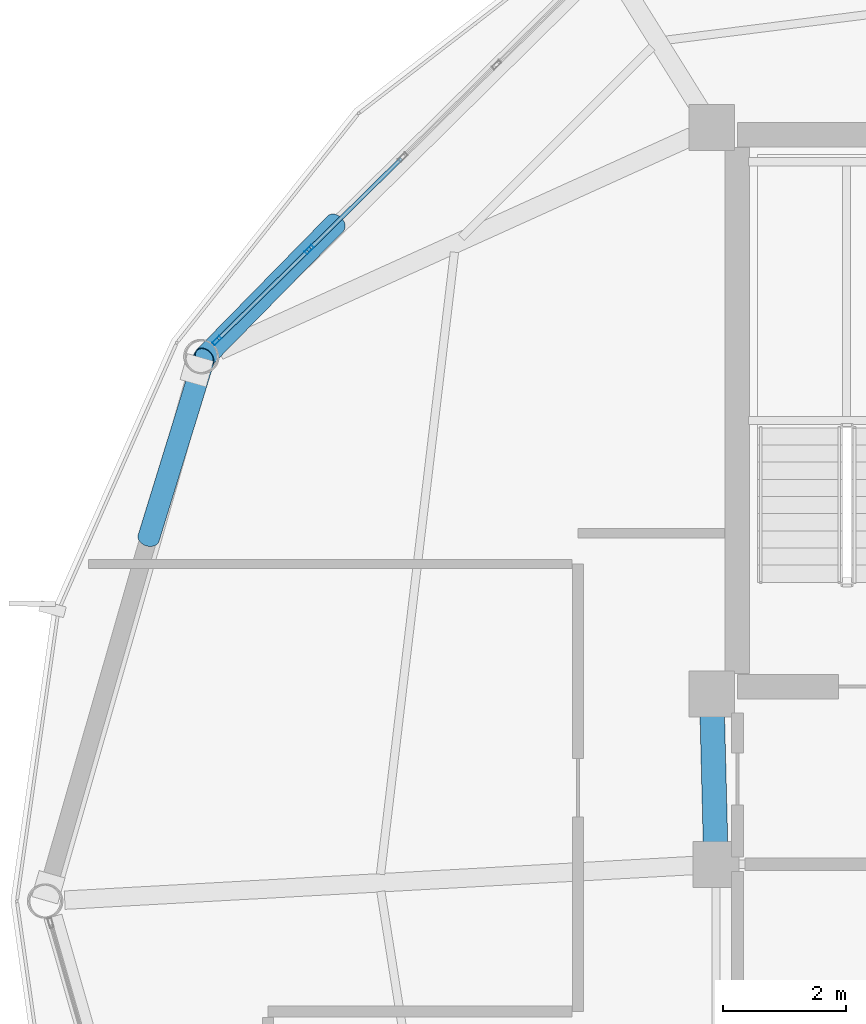
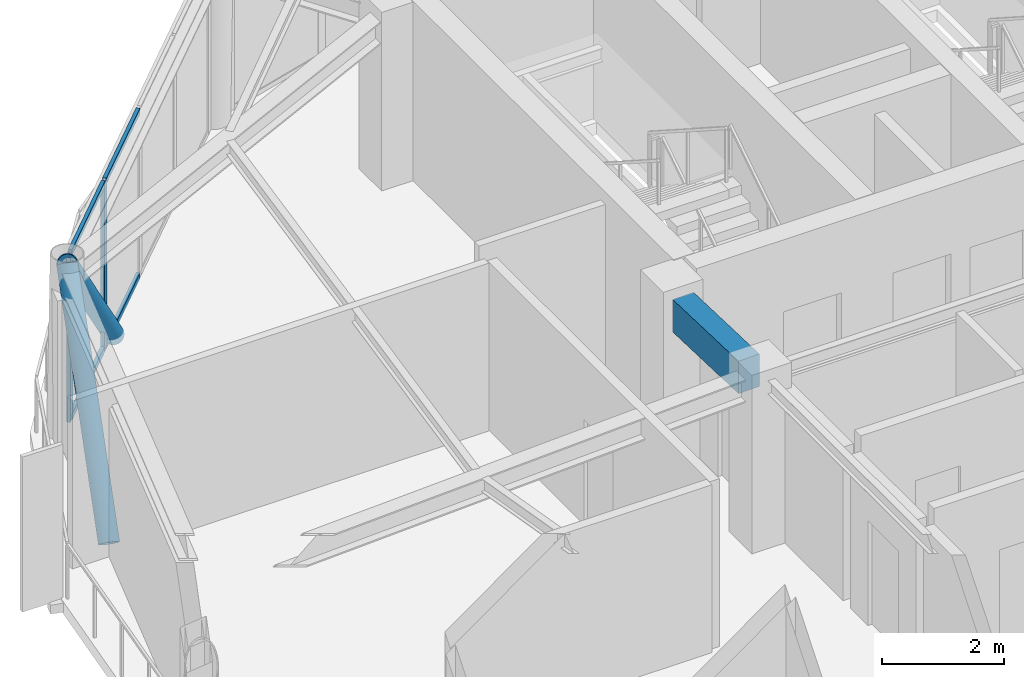
# One storey, part 12 of 26: 8 members, 1 beam, 1 element without a shape of its own.
"""IFC4 building model written with IfcOpenShell, lengths in metres."""

from ifc_helpers import new_model, si_unit, direction, frame, origin, origin_2d, place, context, subcontext, project, spatial, rectangle, hollow_rectangle, hollow_circle, extrude, material, layer, layer_set, material_profile, profile_set, type_object, element, aggregate, save


model = new_model("IFC4")

# Units and contexts
model_context = context("Model", 3, precision=1e-05, world=origin(), true_north=direction((0.0, 1.0)))
body_context = subcontext(model_context, "Body", "Model", "MODEL_VIEW")
ifc_project = project(units=[si_unit("LENGTHUNIT", "METRE"), si_unit("AREAUNIT", "SQUARE_METRE"), si_unit("VOLUMEUNIT", "CUBIC_METRE"), si_unit("PLANEANGLEUNIT", "RADIAN"), si_unit("MASSUNIT", "GRAM", prefix="KILO")], contexts=[model_context])

# Site, building, storey
site_placement = place(None, origin())
site = spatial("IfcSite", under=ifc_project, at=site_placement, CompositionType="ELEMENT")
building_placement = place(site_placement, origin())
building = spatial("IfcBuilding", under=site, at=building_placement, Name="Varnakorn Sky Granary", CompositionType="ELEMENT")
storey_placement = place(building_placement, frame((0.0, 0.0, 267.0)))
storey = spatial("IfcBuildingStorey", under=building, at=storey_placement, Name="L68", CompositionType="ELEMENT", Elevation=267.0)

# Beam
ifc_material_1 = material(Name="Concrete C50/60", Category="concrete")
ifc_material_profile_1 = material_profile(ifc_material_1, rectangle(XDim=0.39990234375, YDim=0.64990234375, at=origin_2d()), Name="RC 400x650")
ifc_profile_set_1 = profile_set([ifc_material_profile_1], Name="Concrete C50/60")
beam_type = type_object("IfcBeamType", Name="BM-LIN-650", PredefinedType="LINTEL", material=ifc_profile_set_1)
beam_placement = place(storey_placement, frame((-2.4111328125, 3.025146484375, 3.034912109375), z_axis=(0.025227817192, -0.999681727971, 0.0), x_axis=(0.999681727971, 0.025227817192, 0.0)))
element("IfcBeam", 1, at=beam_placement, inside=storey, type_object=beam_type, Name="Core Spine Framing Beam 1 L68", PredefinedType="LINTEL", context=body_context, shape_type="SweptSolid", body=[
    extrude(rectangle(XDim=0.39990234375, YDim=0.64990234375, at=origin_2d()), origin(), (0.0, 0.0, 1.0), 2.071044921875),
])

# Curtain wall, members
ifc_material_2 = material(Name="Anodised Bronze Aluminium Alloy 6063-T6", Category="aluminium")
ifc_layer = layer(ifc_material_2, 0.159912109375, Name="Anodised Bronze Aluminium Alloy 6063-T6")
ifc_layer_set = layer_set([ifc_layer], Name="Anodised Bronze Aluminium Alloy 6063-T6")
curtain_wall_type = type_object("IfcCurtainWallType", Name="CW-OFF-1", PredefinedType="USERDEFINED", material=ifc_layer_set)
curtain_wall_placement = place(storey_placement, origin())
curtain_wall = element("IfcCurtainWall", 2, at=curtain_wall_placement, inside=storey, type_object=curtain_wall_type, Name="Unitised Curtain Wall CW6 CW-L68-B05", ObjectType="CURTAIN WALL", PredefinedType="USERDEFINED")
ifc_material_profile_2 = material_profile(ifc_material_2, hollow_rectangle(XDim=0.06494140625, YDim=0.159912109375, WallThickness=0.00341796875, at=origin_2d()), Name="ALU MULL 65x160")
ifc_profile_set_2 = profile_set([ifc_material_profile_2], Name="Anodised Bronze Aluminium Alloy 6063-T6")
member_type_1 = type_object("IfcMemberType", Name="CW-OFF-1-MULL", PredefinedType="MULLION", material=ifc_profile_set_2)
member_1_placement = place(storey_placement, frame((-10.49169921875, 9.145263671875, 0.0), z_axis=(0.0, 0.0, 1.0), x_axis=(-0.702091405728, 0.71208683319, 0.0)))
member_1 = element("IfcMember", 3, at=member_1_placement, type_object=member_type_1, Name="CW6 mullion 1", PredefinedType="MULLION", context=body_context, shape_type="SweptSolid", body=[
    extrude(hollow_rectangle(XDim=0.06494140625, YDim=0.159912109375, WallThickness=0.00341796875, at=origin_2d()), origin(), (0.0, 0.0, 1.0), 3.360107421875),
])
member_2_placement = place(storey_placement, frame((-8.986572265625, 10.629150390625, 0.0), z_axis=(0.0, 0.0, 1.0), x_axis=(-0.702091405728, 0.71208683319, 0.0)))
member_2 = element("IfcMember", 4, at=member_2_placement, type_object=member_type_1, Name="CW6 mullion 2", PredefinedType="MULLION", context=body_context, shape_type="SweptSolid", body=[
    extrude(hollow_rectangle(XDim=0.06494140625, YDim=0.159912109375, WallThickness=0.00341796875, at=origin_2d()), origin(), (0.0, 0.0, 1.0), 3.360107421875),
])
ifc_material_profile_3 = material_profile(ifc_material_2, hollow_rectangle(XDim=0.06494140625, YDim=0.1201171875, WallThickness=0.00341796875, at=origin_2d()), Name="ALU TRAN 65x120")
ifc_profile_set_3 = profile_set([ifc_material_profile_3], Name="Anodised Bronze Aluminium Alloy 6063-T6")
member_type_2 = type_object("IfcMemberType", Name="CW-OFF-1-TRAN", PredefinedType="USERDEFINED", material=ifc_profile_set_3)
member_3_placement = place(storey_placement, frame((-10.468505859375, 9.16796875, 0.032470703125), z_axis=(0.712094582658, 0.702083545847, 0.0), x_axis=(-0.702083545847, 0.712094582658, 0.0)))
member_3 = element("IfcMember", 5, at=member_3_placement, type_object=member_type_2, Name="CW6 transom 1.1", ObjectType="TRANSOM", PredefinedType="USERDEFINED", context=body_context, shape_type="SweptSolid", body=[
    extrude(hollow_rectangle(XDim=0.06494140625, YDim=0.1201171875, WallThickness=0.00341796875, at=origin_2d()), origin(), (0.0, 0.0, 1.0), 2.048583984375),
])
member_4_placement = place(storey_placement, frame((-10.468505859375, 9.16796875, 3.327392578125), z_axis=(0.712094582658, 0.702083545847, 0.0), x_axis=(-0.702083545847, 0.712094582658, 0.0)))
member_4 = element("IfcMember", 6, at=member_4_placement, type_object=member_type_2, Name="CW6 transom 1.2", ObjectType="TRANSOM", PredefinedType="USERDEFINED", context=body_context, shape_type="SweptSolid", body=[
    extrude(hollow_rectangle(XDim=0.06494140625, YDim=0.1201171875, WallThickness=0.00341796875, at=origin_2d()), origin(), (0.0, 0.0, 1.0), 2.048583984375),
])
member_5_placement = place(storey_placement, frame((-8.963623046875, 10.65185546875, 0.032470703125), z_axis=(0.712074901706, 0.702103506871, 0.0), x_axis=(-0.702103506871, 0.712074901706, 0.0)))
member_5 = element("IfcMember", 7, at=member_5_placement, type_object=member_type_2, Name="CW6 transom 2.1", ObjectType="TRANSOM", PredefinedType="USERDEFINED", context=body_context, shape_type="SweptSolid", body=[
    extrude(hollow_rectangle(XDim=0.06494140625, YDim=0.1201171875, WallThickness=0.00341796875, at=origin_2d()), origin(), (0.0, 0.0, 1.0), 2.0810546875),
])
member_6_placement = place(storey_placement, frame((-8.963623046875, 10.65185546875, 3.327392578125), z_axis=(0.712074901706, 0.702103506871, 0.0), x_axis=(-0.702103506871, 0.712074901706, 0.0)))
member_6 = element("IfcMember", 8, at=member_6_placement, type_object=member_type_2, Name="CW6 transom 2.2", ObjectType="TRANSOM", PredefinedType="USERDEFINED", context=body_context, shape_type="SweptSolid", body=[
    extrude(hollow_rectangle(XDim=0.06494140625, YDim=0.1201171875, WallThickness=0.00341796875, at=origin_2d()), origin(), (0.0, 0.0, 1.0), 2.0810546875),
])
aggregate(curtain_wall, [member_1, member_2, member_3, member_4, member_5, member_6])

# Members
ifc_material_3 = material(Name="Steel S460M", Category="steel")
ifc_material_profile_4 = material_profile(ifc_material_3, hollow_circle(Radius=0.177734375, WallThickness=0.01416015625, at=origin_2d()), Name="CHS 355.6x14")
ifc_profile_set_4 = profile_set([ifc_material_profile_4], Name="Steel S460M")
member_type_3 = type_object("IfcMemberType", Name="MB-DIAG-T5", PredefinedType="BRACE", material=ifc_profile_set_4)
member_7_placement = place(storey_placement, frame((-8.557861328125, 11.0517578125, -0.1298828125), z_axis=(-0.461276023146, -0.470798258569, 0.75204616228), x_axis=(0.714293434381, -0.699846332848, 0.0)))
element("IfcMember", 9, at=member_7_placement, inside=storey, type_object=member_type_3, Name="Perimeter CHS Diagrid Brace DG05 L68", PredefinedType="BRACE", context=body_context, shape_type="SweptSolid", body=[
    extrude(hollow_circle(Radius=0.177734375, WallThickness=0.01416015625, at=origin_2d()), origin(), (0.0, 0.0, 1.0), 4.640625),
])
member_8_placement = place(storey_placement, frame((-11.6064453125, 5.922607421875, -0.1298828125), z_axis=(0.19502996822, 0.632444586377, 0.749651356738), x_axis=(-0.955595507687, 0.294681566591, 0.0)))
element("IfcMember", 10, at=member_8_placement, inside=storey, type_object=member_type_3, Name="Perimeter CHS Diagrid Brace DG06 L68", PredefinedType="BRACE", context=body_context, shape_type="SweptSolid", body=[
    extrude(hollow_circle(Radius=0.177734375, WallThickness=0.01416015625, at=origin_2d()), origin(), (0.0, 0.0, 1.0), 4.655517578125),
])

save(model, "model.ifc")
